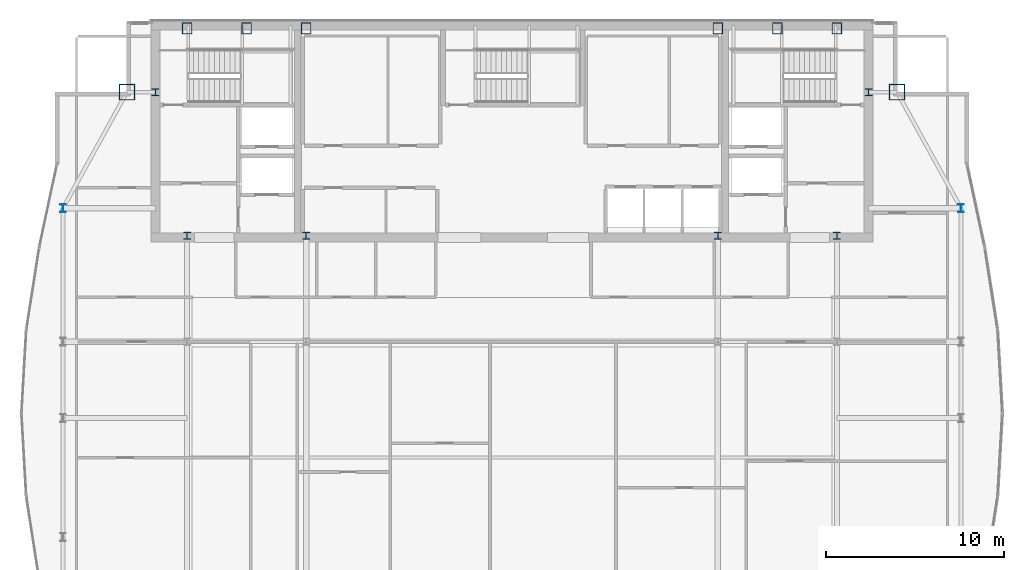
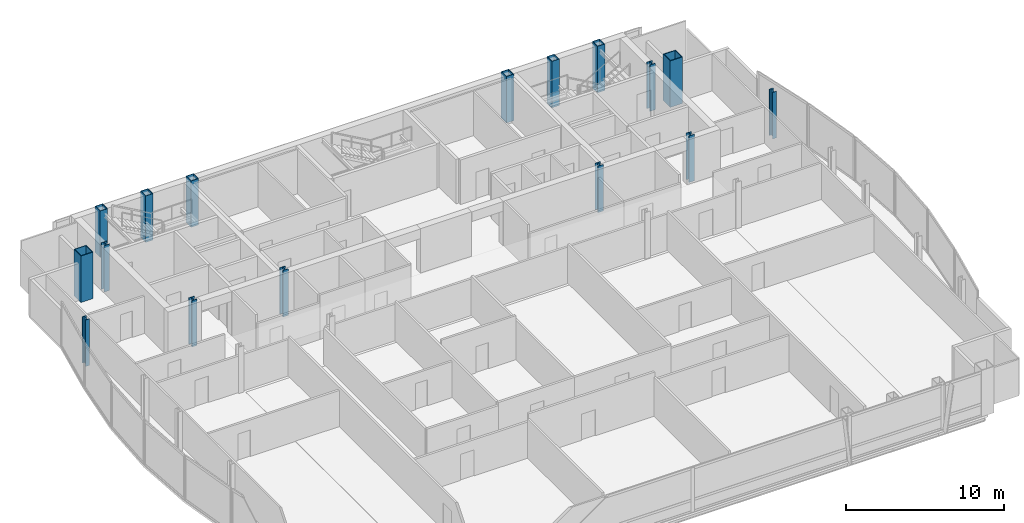
# One storey, part 3 of 29: 16 columns.
"""IFC4 building model written with IfcOpenShell, lengths in metres."""

import ifcopenshell
import ifcopenshell.guid

model = None  # the IFC model being written
_history = None  # IfcOwnerHistory: only IFC2X3 demands one
_inside = {}  # id of a spatial element -> (the spatial element, [elements in it])
_under = {}  # id of a project, library or spatial element -> (it, [spatial elements below it])
_declared = {}  # id of a project -> (the project, [libraries it declares])
_typed = {}  # id of a type object -> (the type object, [elements of that type])
_made_of = {}  # id of a material, layer set ... -> (it, [elements and type objects made of it])


def new_model(schema):
    """Start an empty IFC model of exactly this schema.

    Asked for "IFC4X3", IfcOpenShell would pick the latest addendum, in which some entities
    have other attributes; the version numbers below select the first issue.
    IFC2X3 requires an IfcOwnerHistory on every rooted entity: one is made here for all.
    """
    global model, _history
    if schema == "IFC4X3":
        model = ifcopenshell.file(schema_version=(4, 3, 0, 0))
    else:
        model = ifcopenshell.file(schema=schema)
    _inside.clear()
    _under.clear()
    _declared.clear()
    _typed.clear()
    _made_of.clear()
    _history = None
    if model.schema == "IFC2X3":
        org = make("IfcOrganization", Name="unknown")
        user = make(
            "IfcPersonAndOrganization",
            ThePerson=make("IfcPerson", FamilyName="unknown"),
            TheOrganization=org,
        )
        app = make(
            "IfcApplication",
            ApplicationDeveloper=org,
            Version="unknown",
            ApplicationFullName="unknown",
            ApplicationIdentifier="unknown",
        )
        _history = make(
            "IfcOwnerHistory",
            OwningUser=user,
            OwningApplication=app,
            ChangeAction="ADDED",
            CreationDate=0,
        )
    return model


def make(cls, **values):
    """One entity of the class cls with the attributes given. An attribute that is None is left unset."""
    return model.create_entity(
        cls, **{name: value for name, value in values.items() if value is not None}
    )


def rooted(cls, **values):
    """An entity with a GlobalId (a new one), such as an element, a storey or a relation."""
    return make(cls, GlobalId=ifcopenshell.guid.new(), OwnerHistory=_history, **values)


def si_unit(unit_type, name, prefix=None):
    """IfcSIUnit, for example si_unit("LENGTHUNIT", "METRE", prefix="MILLI")."""
    return make("IfcSIUnit", UnitType=unit_type, Prefix=prefix, Name=name)


def assignment(units):
    """IfcUnitAssignment: the units of a project."""
    return None if units is None else make("IfcUnitAssignment", Units=units)


def point(xyz):
    """IfcCartesianPoint."""
    return None if xyz is None else make("IfcCartesianPoint", Coordinates=xyz)


def direction(xyz):
    """IfcDirection."""
    return None if xyz is None else make("IfcDirection", DirectionRatios=xyz)


def frame(location, z_axis=None, x_axis=None):
    """IfcAxis2Placement3D, a coordinate frame: its origin and axes. An axis left out is left unset."""
    return make(
        "IfcAxis2Placement3D",
        Location=point(location),
        Axis=direction(z_axis),
        RefDirection=direction(x_axis),
    )


def frame_2d(location, x_axis=None):
    """IfcAxis2Placement2D, a coordinate frame in the plane: its origin and x axis."""
    return make(
        "IfcAxis2Placement2D", Location=point(location), RefDirection=direction(x_axis)
    )


def origin():
    """The frame at (0, 0, 0) with its axes left unset."""
    return frame((0.0, 0.0, 0.0))


def origin_2d():
    """The frame at (0, 0) in the plane with its x axis left unset."""
    return frame_2d((0.0, 0.0))


def place(relative_to, where):
    """IfcLocalPlacement: puts the frame where relative to a parent placement (None: the world)."""
    return make(
        "IfcLocalPlacement", PlacementRelTo=relative_to, RelativePlacement=where
    )


def context(
    kind, dimensions, precision=None, world=None, true_north=None, identifier=None
):
    """IfcGeometricRepresentationContext, for example the 3D "Model" context."""
    return make(
        "IfcGeometricRepresentationContext",
        ContextIdentifier=identifier,
        ContextType=kind,
        CoordinateSpaceDimension=dimensions,
        Precision=precision,
        WorldCoordinateSystem=world,
        TrueNorth=true_north,
    )


def subcontext(parent, identifier, kind, view, scale=None):
    """IfcGeometricRepresentationSubContext, for example "Body" below "Model"."""
    return make(
        "IfcGeometricRepresentationSubContext",
        ContextIdentifier=identifier,
        ContextType=kind,
        ParentContext=parent,
        TargetScale=scale,
        TargetView=view,
    )


def project(units=None, contexts=None):
    """IfcProject with its units and contexts."""
    return rooted(
        "IfcProject",
        Name="project",
        RepresentationContexts=contexts,
        UnitsInContext=assignment(units),
    )


def spatial(cls, under=None, at=None, **own):
    """A site, building, storey or space (cls), placed at a placement, below another one or the project."""
    s = rooted(cls, ObjectPlacement=at, **own)
    if under is not None:
        _under.setdefault(under.id(), (under, []))[1].append(s)
    return s


def profile(cls, at=None, kind="AREA", **sizes):
    """A parametric profile (cls). Its sizes go by their IFC names, for example OverallWidth=200.0."""
    return make(cls, ProfileType=kind, Position=at, **sizes)


def hollow_rectangle(**sizes):
    """IfcRectangleHollowProfileDef."""
    return profile("IfcRectangleHollowProfileDef", **sizes)


def i_section(**sizes):
    """IfcIShapeProfileDef."""
    return profile("IfcIShapeProfileDef", **sizes)


def extrude(swept, where, along, depth):
    """IfcExtrudedAreaSolid: the profile swept, set in the frame where, extruded along a direction by depth."""
    return make(
        "IfcExtrudedAreaSolid",
        SweptArea=swept,
        Position=where,
        ExtrudedDirection=direction(along),
        Depth=depth,
    )


def shape(context_of_items, identifier, shape_type, items):
    """IfcShapeRepresentation: the items that make up one representation, for example the "Body"."""
    return make(
        "IfcShapeRepresentation",
        ContextOfItems=context_of_items,
        RepresentationIdentifier=identifier,
        RepresentationType=shape_type,
        Items=items,
    )


def material(Name=None, Category=None):
    """IfcMaterial."""
    return make("IfcMaterial", Name=Name, Category=Category)


def material_profile(
    of_material, cross_section, Name=None, Category=None, Priority=None
):
    """IfcMaterialProfile: a cross section and its material."""
    return make(
        "IfcMaterialProfile",
        Name=Name,
        Material=of_material,
        Profile=cross_section,
        Priority=Priority,
        Category=Category,
    )


def profile_set(profiles, Name=None, composite=None):
    """IfcMaterialProfileSet."""
    return make(
        "IfcMaterialProfileSet",
        Name=Name,
        MaterialProfiles=profiles,
        CompositeProfile=composite,
    )


def made_of(thing, what):
    """Note that an element or type object is made of a material, layer set ...; save() writes the relation."""
    if what is not None:
        _made_of.setdefault(what.id(), (what, []))[1].append(thing)
    return thing


def type_object(cls, material=None, **own):
    """A type object (cls), such as IfcWallType, which elements share."""
    return made_of(rooted(cls, **own), material)


def element(
    cls,
    number,
    at=None,
    inside=None,
    cuts=None,
    type_object=None,
    material=None,
    context=None,
    identifier="Body",
    shape_type=None,
    held_by="IfcProductDefinitionShape",
    body=None,
    shapes=None,
    **own,
):
    """One element of the class cls, such as IfcWall. Its Tag is "e" and its number.

    at: its placement. inside: the storey or other place that contains it. cuts: it is an
    opening in that element (IfcRelVoidsElement). A single representation is given by context,
    identifier, shape_type and body (its items); several are given by shapes. held_by: the class
    of the entity that holds the representations. save() writes the other relations.
    """
    e = rooted(cls, Tag="e%d" % number, ObjectPlacement=at, **own)
    if body is not None:
        shapes = [shape(context, identifier, shape_type, body)]
    if shapes is not None:
        e.Representation = make(held_by, Representations=shapes)
    if inside is not None:
        _inside.setdefault(inside.id(), (inside, []))[1].append(e)
    if cuts is not None:
        rooted(
            "IfcRelVoidsElement", RelatingBuildingElement=cuts, RelatedOpeningElement=e
        )
    if type_object is not None:
        _typed.setdefault(type_object.id(), (type_object, []))[1].append(e)
    return made_of(e, material)


def aggregate(whole, parts):
    """IfcRelAggregates: a whole, such as a stair, and the parts it consists of."""
    return rooted("IfcRelAggregates", RelatingObject=whole, RelatedObjects=parts)


def save(model, path):
    """Write the relations noted so far, then the file.

    IfcRelAggregates (storeys below a building ...), IfcRelContainedInSpatialStructure (elements
    in a storey), IfcRelDefinesByType, IfcRelAssociatesMaterial and IfcRelDeclares: one each for
    every whole, place, type object, material and project.
    """
    for whole, parts in _under.values():
        aggregate(whole, parts)
    for where, things in _inside.values():
        rooted(
            "IfcRelContainedInSpatialStructure",
            RelatedElements=things,
            RelatingStructure=where,
        )
    for kind, things in _typed.values():
        rooted("IfcRelDefinesByType", RelatedObjects=things, RelatingType=kind)
    for what, things in _made_of.values():
        rooted("IfcRelAssociatesMaterial", RelatedObjects=things, RelatingMaterial=what)
    for by, libraries in _declared.values():
        rooted("IfcRelDeclares", RelatingContext=by, RelatedDefinitions=libraries)
    model.write(path)


model = new_model("IFC4")

# Units and contexts
model_context = context("Model", 3, precision=1e-05, world=origin(), true_north=direction((0.0, 1.0)))
body_context = subcontext(model_context, "Body", "Model", "MODEL_VIEW")
ifc_project = project(units=[si_unit("LENGTHUNIT", "METRE"), si_unit("AREAUNIT", "SQUARE_METRE"), si_unit("VOLUMEUNIT", "CUBIC_METRE"), si_unit("PLANEANGLEUNIT", "RADIAN"), si_unit("MASSUNIT", "GRAM", prefix="KILO")], contexts=[model_context])

# Site, building, storey
site_placement = place(None, origin())
site = spatial("IfcSite", under=ifc_project, at=site_placement, CompositionType="ELEMENT")
building_placement = place(site_placement, origin())
building = spatial("IfcBuilding", under=site, at=building_placement, Name="Khoronbel Lancet Exchange", CompositionType="ELEMENT")
storey_placement = place(building_placement, frame((0.0, 0.0, 329.0)))
storey = spatial("IfcBuildingStorey", under=building, at=storey_placement, Name="L85", CompositionType="ELEMENT", Elevation=329.0)

# Columns
ifc_material_1 = material(Name="Steel S460", Category="steel")
ifc_material_profile_1 = material_profile(ifc_material_1, hollow_rectangle(XDim=0.550048828125, YDim=0.64990234375, WallThickness=0.0400390625, at=origin_2d()), Name="BOX 650x550x40")
ifc_profile_set_1 = profile_set([ifc_material_profile_1], Name="Steel S460")
column_type_1 = type_object("IfcColumnType", Name="COL-EC4", PredefinedType="COLUMN", material=ifc_profile_set_1)
for number, where, z_axis, x_axis, name in (
    (1, (18.22509765625, 53.280029296875, 0.0), (0.0, 0.0, 1.0), (1.0, 0.0, 0.0), "Structural column NC-W1 L85"),
    (2, (21.5625, 53.280029296875, 0.0), (0.0, 0.0, 1.0), (1.0, 0.0, 0.0), "Structural column NC-WM L85"),
    (3, (24.89990234375, 53.280029296875, 0.0), (0.0, 0.0, 1.0), (1.0, 0.0, 0.0), "Structural column NC-W2 L85"),
    (4, (48.0, 53.280029296875, 0.0), (0.0, 0.0, 1.0), (1.0, 0.0, 0.0), "Structural column NC-E1 L85"),
    (5, (51.33740234375, 53.280029296875, 0.0), (0.0, 0.0, 1.0), (1.0, 0.0, 0.0), "Structural column NC-EM L85"),
    (6, (54.675048828125, 53.280029296875, 0.0), (0.0, 0.0, 1.0), (1.0, 0.0, 0.0), "Structural column NC-E2 L85"),
):
    element("IfcColumn", number, at=place(storey_placement, frame(where, z_axis=z_axis, x_axis=x_axis)), inside=storey, type_object=column_type_1, Name=name, PredefinedType="COLUMN", context=body_context, shape_type="SweptSolid", body=[
        extrude(hollow_rectangle(XDim=0.550048828125, YDim=0.64990234375, WallThickness=0.0400390625, at=origin_2d()), origin(), (0.0, 0.0, 1.0), 3.60009765625),
    ])
ifc_material_2 = material(Name="Steel S355", Category="steel")
ifc_material_profile_2 = material_profile(ifc_material_2, i_section(OverallWidth=0.39892578125, OverallDepth=0.39306640625, WebThickness=0.022705078125, FlangeThickness=0.03662109375, at=origin_2d()), Name="HD 400x287")
ifc_profile_set_2 = profile_set([ifc_material_profile_2], Name="Steel S355")
column_type_2 = type_object("IfcColumnType", Name="COL-IC4", PredefinedType="COLUMN", material=ifc_profile_set_2)
for number, where, z_axis, x_axis, name in (
    (7, (16.449951171875, 49.699951171875, 0.0), (0.0, 0.0, 1.0), (1.0, 0.0, 0.0), "Core-flank plumb transfer column CFW L85"),
    (8, (56.449951171875, 49.699951171875, 0.0), (0.0, 0.0, 1.0), (1.0, 0.0, 0.0), "Core-flank plumb transfer column CFE L85"),
    (9, (18.22509765625, 41.64990234375, 0.0), (0.0, 0.0, 1.0), (1.0, 0.0, 0.0), "Core-embedded steel column CTC1 L85"),
    (10, (24.89990234375, 41.64990234375, 0.0), (0.0, 0.0, 1.0), (1.0, 0.0, 0.0), "Core-embedded steel column CTC2 L85"),
    (11, (48.0, 41.64990234375, 0.0), (0.0, 0.0, 1.0), (1.0, 0.0, 0.0), "Core-embedded steel column CTC3 L85"),
    (12, (54.675048828125, 41.64990234375, 0.0), (0.0, 0.0, 1.0), (1.0, 0.0, 0.0), "Core-embedded steel column CTC4 L85"),
):
    element("IfcColumn", number, at=place(storey_placement, frame(where, z_axis=z_axis, x_axis=x_axis)), inside=storey, type_object=column_type_2, Name=name, PredefinedType="COLUMN", context=body_context, shape_type="SweptSolid", body=[
        extrude(i_section(OverallWidth=0.39892578125, OverallDepth=0.39306640625, WebThickness=0.022705078125, FlangeThickness=0.03662109375, at=origin_2d()), origin(), (0.0, 0.0, 1.0), 3.60009765625),
    ])
ifc_material_profile_3 = material_profile(ifc_material_2, i_section(OverallWidth=0.300048828125, OverallDepth=0.449951171875, WebThickness=0.013916015625, FlangeThickness=0.02587890625, at=origin_2d()), Name="HEB 450")
ifc_profile_set_3 = profile_set([ifc_material_profile_3], Name="Steel S355")
column_type_3 = type_object("IfcColumnType", Name="COL-LC2", PredefinedType="COLUMN", material=ifc_profile_set_3)
for number, where, z_axis, x_axis, name in (
    (13, (11.27001953125, 43.199951171875, 0.0), (0.0, 0.0, 1.0), (1.0, 0.0, 0.0), "Structural column WC-4 L85"),
    (14, (61.6298828125, 43.199951171875, 0.0), (0.0, 0.0, 1.0), (1.0, 0.0, 0.0), "Structural column EC-4 L85"),
):
    element("IfcColumn", number, at=place(storey_placement, frame(where, z_axis=z_axis, x_axis=x_axis)), inside=storey, type_object=column_type_3, Name=name, PredefinedType="COLUMN", context=body_context, shape_type="SweptSolid", body=[
        extrude(i_section(OverallWidth=0.300048828125, OverallDepth=0.449951171875, WebThickness=0.013916015625, FlangeThickness=0.02587890625, at=origin_2d()), origin(), (0.0, 0.0, 1.0), 3.60009765625),
    ])
ifc_material_profile_4 = material_profile(ifc_material_1, hollow_rectangle(XDim=0.89990234375, YDim=0.89990234375, WallThickness=0.050048828125, at=origin_2d()), Name="BOX 900x900x50")
ifc_profile_set_4 = profile_set([ifc_material_profile_4], Name="Steel S460")
column_type_4 = type_object("IfcColumnType", Name="COL-MC7", PredefinedType="COLUMN", material=ifc_profile_set_4)
for number, where, z_axis, x_axis, name in (
    (15, (58.050048828125, 49.699951171875, 0.0), (0.0, 0.0, 1.0), (1.0, 0.0, 0.0), "Structural column MC-NE L85"),
    (16, (14.85009765625, 49.699951171875, 0.0), (0.0, 0.0, 1.0), (1.0, 0.0, 0.0), "Structural column MC-NW L85"),
):
    element("IfcColumn", number, at=place(storey_placement, frame(where, z_axis=z_axis, x_axis=x_axis)), inside=storey, type_object=column_type_4, Name=name, PredefinedType="COLUMN", context=body_context, shape_type="SweptSolid", body=[
        extrude(hollow_rectangle(XDim=0.89990234375, YDim=0.89990234375, WallThickness=0.050048828125, at=origin_2d()), origin(), (0.0, 0.0, 1.0), 3.60009765625),
    ])

save(model, "model.ifc")
